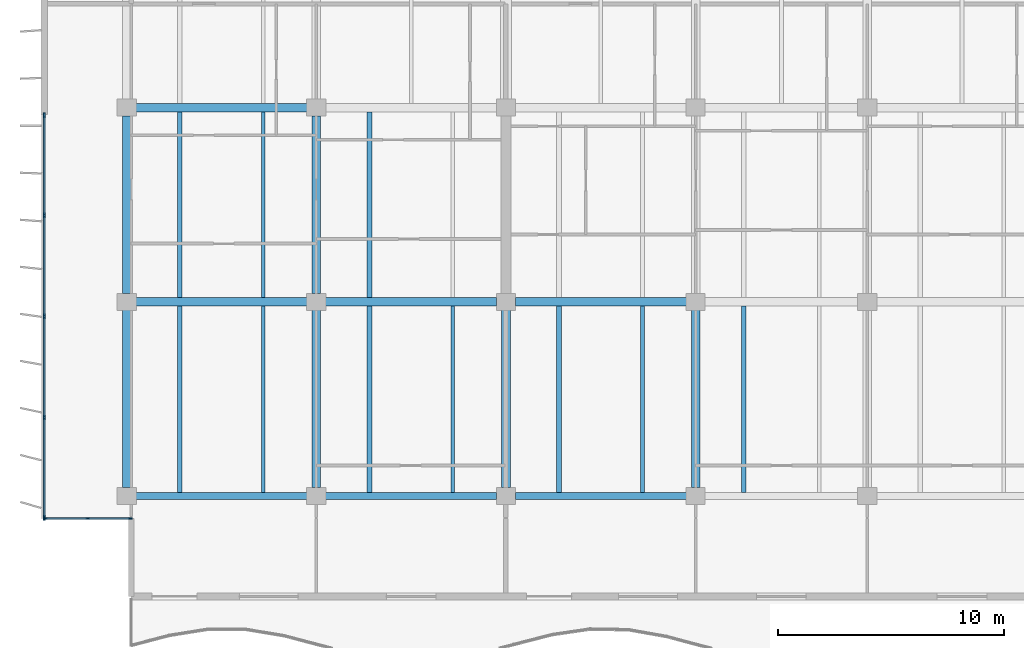
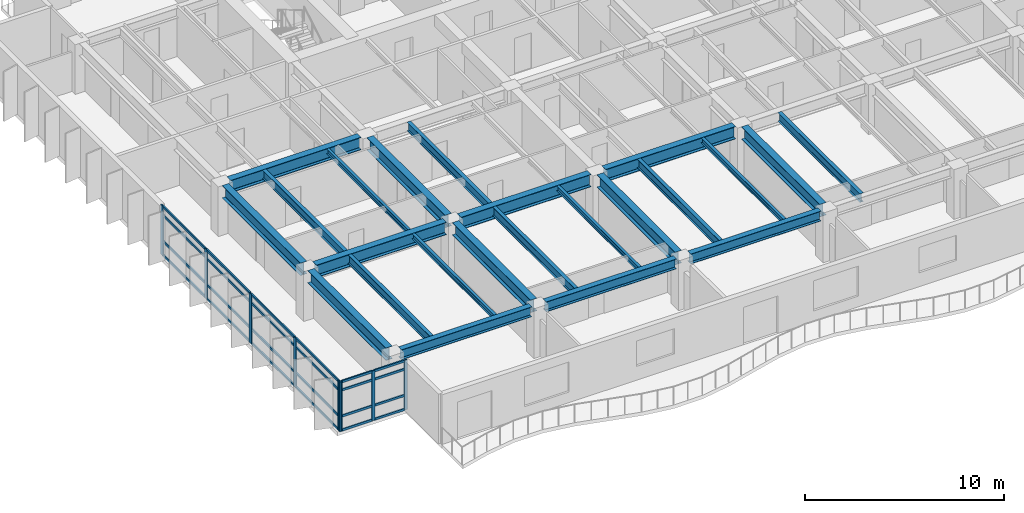
# One storey, part 2 of 17: 32 members, 23 beams, 2 elements without a shape of their own.
"""IFC4 building model written with IfcOpenShell, lengths in metres."""

from ifc_helpers import new_model, si_unit, direction, frame, origin, origin_2d, place, context, subcontext, project, spatial, rectangle, i_section, extrude, material, layer, layer_set, material_profile, profile_set, type_object, element, aggregate, save


model = new_model("IFC4")

# Units and contexts
model_context = context("Model", 3, precision=1e-05, world=origin(), true_north=direction((0.0, 1.0)))
body_context = subcontext(model_context, "Body", "Model", "MODEL_VIEW")
ifc_project = project(units=[si_unit("LENGTHUNIT", "METRE"), si_unit("AREAUNIT", "SQUARE_METRE"), si_unit("VOLUMEUNIT", "CUBIC_METRE"), si_unit("PLANEANGLEUNIT", "RADIAN"), si_unit("MASSUNIT", "GRAM", prefix="KILO")], contexts=[model_context])

# Site, building, storey
site_placement = place(None, origin())
site = spatial("IfcSite", under=ifc_project, at=site_placement, CompositionType="ELEMENT")
building_placement = place(site_placement, origin())
building = spatial("IfcBuilding", under=site, at=building_placement, Name="Caelmar Bay Residences", CompositionType="ELEMENT")
storey_placement = place(building_placement, frame((0.0, 0.0, 208.199951171875)))
storey = spatial("IfcBuildingStorey", under=building, at=storey_placement, Name="L58", CompositionType="ELEMENT", Elevation=208.199951171875)

# Beams
ifc_material_1 = material(Name="Steel ASTM A992 Grade 50", Category="steel")
ifc_material_profile_1 = material_profile(ifc_material_1, i_section(OverallWidth=0.381103515625, OverallDepth=0.77197265625, WebThickness=0.0166015625, FlangeThickness=0.027099609375, FilletRadius=0.0166015625, at=origin_2d()), Name="W30X173")
ifc_profile_set_1 = profile_set([ifc_material_profile_1], Name="Steel ASTM A992 Grade 50")
beam_type_1 = type_object("IfcBeamType", Name="BM-GRD-W30X173", PredefinedType="BEAM", material=ifc_profile_set_1)
beam_1_placement = place(storey_placement, frame((10.31494140625, 20.800048828125, 2.6640625), z_axis=(1.0, 0.0, 0.0), x_axis=(0.0, 1.0, 0.0)))
element("IfcBeam", 1, at=beam_1_placement, inside=storey, type_object=beam_type_1, Name="L58 East-West Girder Y=20.80 (9.9-18.3)", PredefinedType="BEAM", context=body_context, shape_type="SweptSolid", body=[
    extrude(i_section(OverallWidth=0.381103515625, OverallDepth=0.77197265625, WebThickness=0.0166015625, FlangeThickness=0.027099609375, FilletRadius=0.0166015625, at=origin_2d()), origin(), (0.0, 0.0, 1.0), 7.570068359375),
])
beam_2_placement = place(storey_placement, frame((18.715087890625, 20.800048828125, 2.6640625), z_axis=(1.0, 0.0, 0.0), x_axis=(0.0, 1.0, 0.0)))
element("IfcBeam", 2, at=beam_2_placement, inside=storey, type_object=beam_type_1, Name="L58 East-West Girder Y=20.80 (18.3-26.7)", PredefinedType="BEAM", context=body_context, shape_type="SweptSolid", body=[
    extrude(i_section(OverallWidth=0.381103515625, OverallDepth=0.77197265625, WebThickness=0.0166015625, FlangeThickness=0.027099609375, FilletRadius=0.0166015625, at=origin_2d()), origin(), (0.0, 0.0, 1.0), 7.56982421875),
])
for number, where, z_axis, x_axis, name in (
    (3, (27.114990234375, 20.800048828125, 2.6640625), (1.0, 0.0, 0.0), (0.0, 1.0, 0.0), "L58 East-West Girder Y=20.80 (26.7-35.1)"),
    (4, (10.31494140625, 29.39990234375, 2.6640625), (1.0, 0.0, 0.0), (0.0, 1.0, 0.0), "L58 East-West Girder Y=29.40 (9.9-18.3)"),
):
    element("IfcBeam", number, at=place(storey_placement, frame(where, z_axis=z_axis, x_axis=x_axis)), inside=storey, type_object=beam_type_1, Name=name, PredefinedType="BEAM", context=body_context, shape_type="SweptSolid", body=[
        extrude(i_section(OverallWidth=0.381103515625, OverallDepth=0.77197265625, WebThickness=0.0166015625, FlangeThickness=0.027099609375, FilletRadius=0.0166015625, at=origin_2d()), origin(), (0.0, 0.0, 1.0), 7.570068359375),
    ])
beam_3_placement = place(storey_placement, frame((9.89990234375, 12.56494140625, 2.6640625), z_axis=(0.0, 1.0, 0.0), x_axis=(-1.0, 0.0, 0.0)))
element("IfcBeam", 5, at=beam_3_placement, inside=storey, type_object=beam_type_1, Name="L58 North-South Girder X=9.90 (12.2-20.8)", PredefinedType="BEAM", context=body_context, shape_type="SweptSolid", body=[
    extrude(i_section(OverallWidth=0.381103515625, OverallDepth=0.77197265625, WebThickness=0.0166015625, FlangeThickness=0.027099609375, FilletRadius=0.0166015625, at=origin_2d()), origin(), (0.0, 0.0, 1.0), 7.8701171875),
])
beam_4_placement = place(storey_placement, frame((9.89990234375, 21.1650390625, 2.6640625), z_axis=(0.0, 1.0, 0.0), x_axis=(-1.0, 0.0, 0.0)))
element("IfcBeam", 6, at=beam_4_placement, inside=storey, type_object=beam_type_1, Name="L58 North-South Girder X=9.90 (20.8-29.4)", PredefinedType="BEAM", context=body_context, shape_type="SweptSolid", body=[
    extrude(i_section(OverallWidth=0.381103515625, OverallDepth=0.77197265625, WebThickness=0.0166015625, FlangeThickness=0.027099609375, FilletRadius=0.0166015625, at=origin_2d()), origin(), (0.0, 0.0, 1.0), 7.869873046875),
])
beam_5_placement = place(storey_placement, frame((18.300048828125, 12.56494140625, 2.6640625), z_axis=(0.0, 1.0, 0.0), x_axis=(-1.0, 0.0, 0.0)))
element("IfcBeam", 7, at=beam_5_placement, inside=storey, type_object=beam_type_1, Name="L58 North-South Girder X=18.30 (12.2-20.8)", PredefinedType="BEAM", context=body_context, shape_type="SweptSolid", body=[
    extrude(i_section(OverallWidth=0.381103515625, OverallDepth=0.77197265625, WebThickness=0.0166015625, FlangeThickness=0.027099609375, FilletRadius=0.0166015625, at=origin_2d()), origin(), (0.0, 0.0, 1.0), 7.8701171875),
])
beam_6_placement = place(storey_placement, frame((18.300048828125, 21.1650390625, 2.6640625), z_axis=(0.0, 1.0, 0.0), x_axis=(-1.0, 0.0, 0.0)))
element("IfcBeam", 8, at=beam_6_placement, inside=storey, type_object=beam_type_1, Name="L58 North-South Girder X=18.30 (20.8-29.4)", PredefinedType="BEAM", context=body_context, shape_type="SweptSolid", body=[
    extrude(i_section(OverallWidth=0.381103515625, OverallDepth=0.77197265625, WebThickness=0.0166015625, FlangeThickness=0.027099609375, FilletRadius=0.0166015625, at=origin_2d()), origin(), (0.0, 0.0, 1.0), 7.869873046875),
])
for number, where, z_axis, x_axis, name in (
    (9, (26.699951171875, 12.56494140625, 2.6640625), (0.0, 1.0, 0.0), (-1.0, 0.0, 0.0), "L58 North-South Girder X=26.70 (12.2-20.8)"),
    (10, (35.10009765625, 12.56494140625, 2.6640625), (0.0, 1.0, 0.0), (-1.0, 0.0, 0.0), "L58 North-South Girder X=35.10 (12.2-20.8)"),
):
    element("IfcBeam", number, at=place(storey_placement, frame(where, z_axis=z_axis, x_axis=x_axis)), inside=storey, type_object=beam_type_1, Name=name, PredefinedType="BEAM", context=body_context, shape_type="SweptSolid", body=[
        extrude(i_section(OverallWidth=0.381103515625, OverallDepth=0.77197265625, WebThickness=0.0166015625, FlangeThickness=0.027099609375, FilletRadius=0.0166015625, at=origin_2d()), origin(), (0.0, 0.0, 1.0), 7.8701171875),
    ])
ifc_material_profile_2 = material_profile(ifc_material_1, i_section(OverallWidth=0.1650390625, OverallDepth=0.31005859375, WebThickness=0.005859375, FlangeThickness=0.009765625, FilletRadius=0.007568359375, at=origin_2d()), Name="W12X26")
ifc_profile_set_2 = profile_set([ifc_material_profile_2], Name="Steel ASTM A992 Grade 50")
beam_type_2 = type_object("IfcBeamType", Name="BM-JST-W12X26", PredefinedType="JOIST", material=ifc_profile_set_2)
for number, where, z_axis, x_axis, name in (
    (11, (15.947998046875, 12.362548828125, 2.89501953125), (0.0, 1.0, 0.0), (-1.0, 0.0, 0.0), "L58 Composite Floor Joist 2"),
    (12, (24.347900390625, 12.362548828125, 2.89501953125), (0.0, 1.0, 0.0), (-1.0, 0.0, 0.0), "L58 Composite Floor Joist 4"),
    (13, (32.748046875, 12.362548828125, 2.89501953125), (0.0, 1.0, 0.0), (-1.0, 0.0, 0.0), "L58 Composite Floor Joist 6"),
):
    element("IfcBeam", number, at=place(storey_placement, frame(where, z_axis=z_axis, x_axis=x_axis)), inside=storey, type_object=beam_type_2, Name=name, PredefinedType="JOIST", context=body_context, shape_type="SweptSolid", body=[
        extrude(i_section(OverallWidth=0.1650390625, OverallDepth=0.31005859375, WebThickness=0.005859375, FlangeThickness=0.009765625, FilletRadius=0.007568359375, at=origin_2d()), origin(), (0.0, 0.0, 1.0), 8.2470703125),
    ])
beam_7_placement = place(storey_placement, frame((15.947998046875, 20.990478515625, 2.89501953125), z_axis=(0.0, 1.0, 0.0), x_axis=(-1.0, 0.0, 0.0)))
element("IfcBeam", 14, at=beam_7_placement, inside=storey, type_object=beam_type_2, Name="L58 Composite Floor Joist 16", PredefinedType="JOIST", context=body_context, shape_type="SweptSolid", body=[
    extrude(i_section(OverallWidth=0.1650390625, OverallDepth=0.31005859375, WebThickness=0.005859375, FlangeThickness=0.009765625, FilletRadius=0.007568359375, at=origin_2d()), origin(), (0.0, 0.0, 1.0), 8.218994140625),
])
ifc_material_profile_3 = material_profile(ifc_material_1, i_section(OverallWidth=0.2099609375, OverallDepth=0.535888671875, WebThickness=0.010986328125, FlangeThickness=0.017333984375, FilletRadius=0.0126953125, at=origin_2d()), Name="W21X68")
ifc_profile_set_3 = profile_set([ifc_material_profile_3], Name="Steel ASTM A992 Grade 50")
beam_type_3 = type_object("IfcBeamType", Name="BM-JST-W21X68", PredefinedType="JOIST", material=ifc_profile_set_3)
for number, where, z_axis, x_axis, name in (
    (15, (12.251953125, 12.362548828125, 2.781982421875), (0.0, 1.0, 0.0), (-1.0, 0.0, 0.0), "L58 Composite Floor Joist 1"),
    (16, (20.652099609375, 12.362548828125, 2.781982421875), (0.0, 1.0, 0.0), (-1.0, 0.0, 0.0), "L58 Composite Floor Joist 3"),
    (17, (29.052001953125, 12.362548828125, 2.781982421875), (0.0, 1.0, 0.0), (-1.0, 0.0, 0.0), "L58 Composite Floor Joist 5"),
    (18, (37.22802734375, 12.362548828125, 2.781982421875), (0.0, 1.0, 0.0), (-1.0, 0.0, 0.0), "L58 Composite Floor Joist 7"),
):
    element("IfcBeam", number, at=place(storey_placement, frame(where, z_axis=z_axis, x_axis=x_axis)), inside=storey, type_object=beam_type_3, Name=name, PredefinedType="JOIST", context=body_context, shape_type="SweptSolid", body=[
        extrude(i_section(OverallWidth=0.2099609375, OverallDepth=0.535888671875, WebThickness=0.010986328125, FlangeThickness=0.017333984375, FilletRadius=0.0126953125, at=origin_2d()), origin(), (0.0, 0.0, 1.0), 8.2470703125),
    ])
for number, where, z_axis, x_axis, name in (
    (19, (12.251953125, 20.990478515625, 2.781982421875), (0.0, 1.0, 0.0), (-1.0, 0.0, 0.0), "L58 Composite Floor Joist 15"),
    (20, (20.652099609375, 20.990478515625, 2.781982421875), (0.0, 1.0, 0.0), (-1.0, 0.0, 0.0), "L58 Composite Floor Joist 17"),
):
    element("IfcBeam", number, at=place(storey_placement, frame(where, z_axis=z_axis, x_axis=x_axis)), inside=storey, type_object=beam_type_3, Name=name, PredefinedType="JOIST", context=body_context, shape_type="SweptSolid", body=[
        extrude(i_section(OverallWidth=0.2099609375, OverallDepth=0.535888671875, WebThickness=0.010986328125, FlangeThickness=0.017333984375, FilletRadius=0.0126953125, at=origin_2d()), origin(), (0.0, 0.0, 1.0), 8.218994140625),
    ])
ifc_material_profile_4 = material_profile(ifc_material_1, i_section(OverallWidth=0.324951171875, OverallDepth=0.616943359375, WebThickness=0.013916015625, FlangeThickness=0.021484375, FilletRadius=0.0126953125, at=origin_2d()), Name="W24X117")
ifc_profile_set_4 = profile_set([ifc_material_profile_4], Name="Steel ASTM A992 Grade 50")
beam_type_4 = type_object("IfcBeamType", Name="BM-SPN-W24X117", PredefinedType="SPANDREL", material=ifc_profile_set_4)
beam_8_placement = place(storey_placement, frame((10.31494140625, 12.199951171875, 2.741455078125), z_axis=(1.0, 0.0, 0.0), x_axis=(0.0, 1.0, 0.0)))
element("IfcBeam", 21, at=beam_8_placement, inside=storey, type_object=beam_type_4, Name="L58 East-West Girder Y=12.20 (9.9-18.3)", PredefinedType="SPANDREL", context=body_context, shape_type="SweptSolid", body=[
    extrude(i_section(OverallWidth=0.324951171875, OverallDepth=0.616943359375, WebThickness=0.013916015625, FlangeThickness=0.021484375, FilletRadius=0.0126953125, at=origin_2d()), origin(), (0.0, 0.0, 1.0), 7.570068359375),
])
beam_9_placement = place(storey_placement, frame((18.715087890625, 12.199951171875, 2.741455078125), z_axis=(1.0, 0.0, 0.0), x_axis=(0.0, 1.0, 0.0)))
element("IfcBeam", 22, at=beam_9_placement, inside=storey, type_object=beam_type_4, Name="L58 East-West Girder Y=12.20 (18.3-26.7)", PredefinedType="SPANDREL", context=body_context, shape_type="SweptSolid", body=[
    extrude(i_section(OverallWidth=0.324951171875, OverallDepth=0.616943359375, WebThickness=0.013916015625, FlangeThickness=0.021484375, FilletRadius=0.0126953125, at=origin_2d()), origin(), (0.0, 0.0, 1.0), 7.56982421875),
])
beam_10_placement = place(storey_placement, frame((27.114990234375, 12.199951171875, 2.741455078125), z_axis=(1.0, 0.0, 0.0), x_axis=(0.0, 1.0, 0.0)))
element("IfcBeam", 23, at=beam_10_placement, inside=storey, type_object=beam_type_4, Name="L58 East-West Girder Y=12.20 (26.7-35.1)", PredefinedType="SPANDREL", context=body_context, shape_type="SweptSolid", body=[
    extrude(i_section(OverallWidth=0.324951171875, OverallDepth=0.616943359375, WebThickness=0.013916015625, FlangeThickness=0.021484375, FilletRadius=0.0126953125, at=origin_2d()), origin(), (0.0, 0.0, 1.0), 7.570068359375),
])

# Curtain wall, members
ifc_material_2 = material(Name="Anodised bronze aluminium 6063-T6 and laminated glass", Category="aluminium")
ifc_layer_1 = layer(ifc_material_2, 0.179931640625)
ifc_layer_set_1 = layer_set([ifc_layer_1], Name="Anodised bronze aluminium 6063-T6 and laminated glass")
curtain_wall_type_1 = type_object("IfcCurtainWallType", Name="CW6-NTC", PredefinedType="NOTDEFINED", material=ifc_layer_set_1)
curtain_wall_1_placement = place(storey_placement, origin())
curtain_wall_1 = element("IfcCurtainWall", 24, at=curtain_wall_1_placement, inside=storey, type_object=curtain_wall_type_1, Name="CW6 curtain wall L58", PredefinedType="NOTDEFINED")
ifc_material_3 = material(Name="Anodised bronze aluminium 6063-T6", Category="aluminium")
ifc_material_profile_5 = material_profile(ifc_material_3, rectangle(XDim=0.080078125, YDim=0.179931640625, at=origin_2d()), Name="CWM-80X180")
ifc_profile_set_5 = profile_set([ifc_material_profile_5], Name="Anodised bronze aluminium 6063-T6")
member_type_1 = type_object("IfcMemberType", Name="CWM-180", PredefinedType="MULLION", material=ifc_profile_set_5)
member_1_placement = place(storey_placement, frame((6.2900390625, 11.199951171875, 0.0), z_axis=(0.0, 0.0, 1.0), x_axis=(0.0, 1.0, 0.0)))
member_1 = element("IfcMember", 25, at=member_1_placement, type_object=member_type_1, Name="CW6 mullion 1", PredefinedType="MULLION", context=body_context, shape_type="SweptSolid", body=[
    extrude(rectangle(XDim=0.080078125, YDim=0.179931640625, at=origin_2d()), origin(), (0.0, 0.0, 1.0), 3.050048828125),
])
member_2_placement = place(storey_placement, frame((8.175048828125, 11.199951171875, 0.0), z_axis=(0.0, 0.0, 1.0), x_axis=(0.0, 1.0, 0.0)))
member_2 = element("IfcMember", 26, at=member_2_placement, type_object=member_type_1, Name="CW6 mullion 2", PredefinedType="MULLION", context=body_context, shape_type="SweptSolid", body=[
    extrude(rectangle(XDim=0.080078125, YDim=0.179931640625, at=origin_2d()), origin(), (0.0, 0.0, 1.0), 3.050048828125),
])
member_3_placement = place(storey_placement, frame((10.06005859375, 11.199951171875, 0.0), z_axis=(0.0, 0.0, 1.0), x_axis=(0.0, 1.0, 0.0)))
member_3 = element("IfcMember", 27, at=member_3_placement, type_object=member_type_1, Name="CW6 mullion 3", PredefinedType="MULLION", context=body_context, shape_type="SweptSolid", body=[
    extrude(rectangle(XDim=0.080078125, YDim=0.179931640625, at=origin_2d()), origin(), (0.0, 0.0, 1.0), 3.050048828125),
])

ifc_layer_2 = layer(ifc_material_2, 0.179931640625)
ifc_layer_set_2 = layer_set([ifc_layer_2], Name="Anodised bronze aluminium 6063-T6 and laminated glass")
curtain_wall_type_2 = type_object("IfcCurtainWallType", Name="CW4-Z3", PredefinedType="NOTDEFINED", material=ifc_layer_set_2)
curtain_wall_2_placement = place(storey_placement, origin())
curtain_wall_2 = element("IfcCurtainWall", 28, at=curtain_wall_2_placement, inside=storey, type_object=curtain_wall_type_2, Name="CW4 curtain wall L58", PredefinedType="NOTDEFINED")
ifc_material_profile_6 = material_profile(ifc_material_3, rectangle(XDim=0.080078125, YDim=0.219970703125, at=origin_2d()), Name="CWM-80X220")
ifc_profile_set_6 = profile_set([ifc_material_profile_6], Name="Anodised bronze aluminium 6063-T6")
member_type_2 = type_object("IfcMemberType", Name="CWM-220", PredefinedType="MULLION", material=ifc_profile_set_6)
member_4_placement = place(storey_placement, frame((6.25, 11.239990234375, 0.0), z_axis=(0.0, 0.0, 1.0), x_axis=(-1.0, 0.0, 0.0)))
member_4 = element("IfcMember", 29, at=member_4_placement, type_object=member_type_2, Name="CW4 mullion 1", PredefinedType="MULLION", context=body_context, shape_type="SweptSolid", body=[
    extrude(rectangle(XDim=0.080078125, YDim=0.219970703125, at=origin_2d()), origin(), (0.0, 0.0, 1.0), 3.050048828125),
])
member_5_placement = place(storey_placement, frame((6.25, 15.675048828125, 0.0), z_axis=(0.0, 0.0, 1.0), x_axis=(-1.0, 0.0, 0.0)))
member_5 = element("IfcMember", 30, at=member_5_placement, type_object=member_type_2, Name="CW4 mullion 2", PredefinedType="MULLION", context=body_context, shape_type="SweptSolid", body=[
    extrude(rectangle(XDim=0.080078125, YDim=0.219970703125, at=origin_2d()), origin(), (0.0, 0.0, 1.0), 3.050048828125),
])
member_6_placement = place(storey_placement, frame((6.25, 20.14990234375, 0.0), z_axis=(0.0, 0.0, 1.0), x_axis=(-1.0, 0.0, 0.0)))
member_6 = element("IfcMember", 31, at=member_6_placement, type_object=member_type_2, Name="CW4 mullion 3", PredefinedType="MULLION", context=body_context, shape_type="SweptSolid", body=[
    extrude(rectangle(XDim=0.080078125, YDim=0.219970703125, at=origin_2d()), origin(), (0.0, 0.0, 1.0), 3.050048828125),
])
member_7_placement = place(storey_placement, frame((6.25, 24.625, 0.0), z_axis=(0.0, 0.0, 1.0), x_axis=(-1.0, 0.0, 0.0)))
member_7 = element("IfcMember", 32, at=member_7_placement, type_object=member_type_2, Name="CW4 mullion 4", PredefinedType="MULLION", context=body_context, shape_type="SweptSolid", body=[
    extrude(rectangle(XDim=0.080078125, YDim=0.219970703125, at=origin_2d()), origin(), (0.0, 0.0, 1.0), 3.050048828125),
])
member_8_placement = place(storey_placement, frame((6.25, 29.06005859375, 0.0), z_axis=(0.0, 0.0, 1.0), x_axis=(-1.0, 0.0, 0.0)))
member_8 = element("IfcMember", 33, at=member_8_placement, type_object=member_type_2, Name="CW4 mullion 5", PredefinedType="MULLION", context=body_context, shape_type="SweptSolid", body=[
    extrude(rectangle(XDim=0.080078125, YDim=0.219970703125, at=origin_2d()), origin(), (0.0, 0.0, 1.0), 3.050048828125),
])

# Member
ifc_material_profile_7 = material_profile(ifc_material_3, rectangle(XDim=0.080078125, YDim=0.139892578125, at=origin_2d()), Name="CWT-80X140")
ifc_profile_set_7 = profile_set([ifc_material_profile_7], Name="Anodised bronze aluminium 6063-T6")
member_type_3 = type_object("IfcMemberType", Name="CWT-140", PredefinedType="NOTDEFINED", material=ifc_profile_set_7)
member_9_placement = place(storey_placement, frame((6.330078125, 11.199951171875, 0.0400390625), z_axis=(1.0, 0.0, 0.0), x_axis=(0.0, 1.0, 0.0)))
member_9 = element("IfcMember", 34, at=member_9_placement, type_object=member_type_3, Name="CW6 transom 1.1", ObjectType="TRANSOM", PredefinedType="USERDEFINED", context=body_context, shape_type="SweptSolid", body=[
    extrude(rectangle(XDim=0.080078125, YDim=0.139892578125, at=origin_2d()), origin(), (0.0, 0.0, 1.0), 1.804931640625),
])

member_10_placement = place(storey_placement, frame((6.330078125, 11.199951171875, 0.900146484375), z_axis=(1.0, 0.0, 0.0), x_axis=(0.0, 1.0, 0.0)))
member_10 = element("IfcMember", 35, at=member_10_placement, type_object=member_type_3, Name="CW6 transom 1.2", ObjectType="TRANSOM", PredefinedType="USERDEFINED", context=body_context, shape_type="SweptSolid", body=[
    extrude(rectangle(XDim=0.080078125, YDim=0.139892578125, at=origin_2d()), origin(), (0.0, 0.0, 1.0), 1.804931640625),
])

member_11_placement = place(storey_placement, frame((6.330078125, 11.199951171875, 2.5), z_axis=(1.0, 0.0, 0.0), x_axis=(0.0, 1.0, 0.0)))
member_11 = element("IfcMember", 36, at=member_11_placement, type_object=member_type_3, Name="CW6 transom 1.3", ObjectType="TRANSOM", PredefinedType="USERDEFINED", context=body_context, shape_type="SweptSolid", body=[
    extrude(rectangle(XDim=0.080078125, YDim=0.139892578125, at=origin_2d()), origin(), (0.0, 0.0, 1.0), 1.804931640625),
])

member_12_placement = place(storey_placement, frame((6.330078125, 11.199951171875, 3.010009765625), z_axis=(1.0, 0.0, 0.0), x_axis=(0.0, 1.0, 0.0)))
member_12 = element("IfcMember", 37, at=member_12_placement, type_object=member_type_3, Name="CW6 transom 1.4", ObjectType="TRANSOM", PredefinedType="USERDEFINED", context=body_context, shape_type="SweptSolid", body=[
    extrude(rectangle(XDim=0.080078125, YDim=0.139892578125, at=origin_2d()), origin(), (0.0, 0.0, 1.0), 1.804931640625),
])

member_13_placement = place(storey_placement, frame((8.215087890625, 11.199951171875, 0.0400390625), z_axis=(1.0, 0.0, 0.0), x_axis=(0.0, 1.0, 0.0)))
member_13 = element("IfcMember", 38, at=member_13_placement, type_object=member_type_3, Name="CW6 transom 2.1", ObjectType="TRANSOM", PredefinedType="USERDEFINED", context=body_context, shape_type="SweptSolid", body=[
    extrude(rectangle(XDim=0.080078125, YDim=0.139892578125, at=origin_2d()), origin(), (0.0, 0.0, 1.0), 1.804931640625),
])

member_14_placement = place(storey_placement, frame((8.215087890625, 11.199951171875, 0.900146484375), z_axis=(1.0, 0.0, 0.0), x_axis=(0.0, 1.0, 0.0)))
member_14 = element("IfcMember", 39, at=member_14_placement, type_object=member_type_3, Name="CW6 transom 2.2", ObjectType="TRANSOM", PredefinedType="USERDEFINED", context=body_context, shape_type="SweptSolid", body=[
    extrude(rectangle(XDim=0.080078125, YDim=0.139892578125, at=origin_2d()), origin(), (0.0, 0.0, 1.0), 1.804931640625),
])

member_15_placement = place(storey_placement, frame((8.215087890625, 11.199951171875, 2.5), z_axis=(1.0, 0.0, 0.0), x_axis=(0.0, 1.0, 0.0)))
member_15 = element("IfcMember", 40, at=member_15_placement, type_object=member_type_3, Name="CW6 transom 2.3", ObjectType="TRANSOM", PredefinedType="USERDEFINED", context=body_context, shape_type="SweptSolid", body=[
    extrude(rectangle(XDim=0.080078125, YDim=0.139892578125, at=origin_2d()), origin(), (0.0, 0.0, 1.0), 1.804931640625),
])

member_16_placement = place(storey_placement, frame((8.215087890625, 11.199951171875, 3.010009765625), z_axis=(1.0, 0.0, 0.0), x_axis=(0.0, 1.0, 0.0)))
member_16 = element("IfcMember", 41, at=member_16_placement, type_object=member_type_3, Name="CW6 transom 2.4", ObjectType="TRANSOM", PredefinedType="USERDEFINED", context=body_context, shape_type="SweptSolid", body=[
    extrude(rectangle(XDim=0.080078125, YDim=0.139892578125, at=origin_2d()), origin(), (0.0, 0.0, 1.0), 1.804931640625),
])

aggregate(curtain_wall_1, [member_1, member_2, member_3, member_9, member_10, member_11, member_12, member_13, member_14, member_15, member_16])

member_17_placement = place(storey_placement, frame((6.25, 11.280029296875, 0.0400390625), z_axis=(0.0, 1.0, 0.0), x_axis=(-1.0, 0.0, 0.0)))
member_17 = element("IfcMember", 42, at=member_17_placement, type_object=member_type_3, Name="CW4 transom 1.1", ObjectType="TRANSOM", PredefinedType="USERDEFINED", context=body_context, shape_type="SweptSolid", body=[
    extrude(rectangle(XDim=0.080078125, YDim=0.139892578125, at=origin_2d()), origin(), (0.0, 0.0, 1.0), 4.35498046875),
])

member_18_placement = place(storey_placement, frame((6.25, 11.280029296875, 0.900146484375), z_axis=(0.0, 1.0, 0.0), x_axis=(-1.0, 0.0, 0.0)))
member_18 = element("IfcMember", 43, at=member_18_placement, type_object=member_type_3, Name="CW4 transom 1.2", ObjectType="TRANSOM", PredefinedType="USERDEFINED", context=body_context, shape_type="SweptSolid", body=[
    extrude(rectangle(XDim=0.080078125, YDim=0.139892578125, at=origin_2d()), origin(), (0.0, 0.0, 1.0), 4.35498046875),
])

member_19_placement = place(storey_placement, frame((6.25, 11.280029296875, 2.5), z_axis=(0.0, 1.0, 0.0), x_axis=(-1.0, 0.0, 0.0)))
member_19 = element("IfcMember", 44, at=member_19_placement, type_object=member_type_3, Name="CW4 transom 1.3", ObjectType="TRANSOM", PredefinedType="USERDEFINED", context=body_context, shape_type="SweptSolid", body=[
    extrude(rectangle(XDim=0.080078125, YDim=0.139892578125, at=origin_2d()), origin(), (0.0, 0.0, 1.0), 4.35498046875),
])

member_20_placement = place(storey_placement, frame((6.25, 11.280029296875, 3.010009765625), z_axis=(0.0, 1.0, 0.0), x_axis=(-1.0, 0.0, 0.0)))
member_20 = element("IfcMember", 45, at=member_20_placement, type_object=member_type_3, Name="CW4 transom 1.4", ObjectType="TRANSOM", PredefinedType="USERDEFINED", context=body_context, shape_type="SweptSolid", body=[
    extrude(rectangle(XDim=0.080078125, YDim=0.139892578125, at=origin_2d()), origin(), (0.0, 0.0, 1.0), 4.35498046875),
])

member_21_placement = place(storey_placement, frame((6.25, 15.715087890625, 0.0400390625), z_axis=(0.0, 1.0, 0.0), x_axis=(-1.0, 0.0, 0.0)))
member_21 = element("IfcMember", 46, at=member_21_placement, type_object=member_type_3, Name="CW4 transom 2.1", ObjectType="TRANSOM", PredefinedType="USERDEFINED", context=body_context, shape_type="SweptSolid", body=[
    extrude(rectangle(XDim=0.080078125, YDim=0.139892578125, at=origin_2d()), origin(), (0.0, 0.0, 1.0), 4.39501953125),
])

member_22_placement = place(storey_placement, frame((6.25, 15.715087890625, 0.900146484375), z_axis=(0.0, 1.0, 0.0), x_axis=(-1.0, 0.0, 0.0)))
member_22 = element("IfcMember", 47, at=member_22_placement, type_object=member_type_3, Name="CW4 transom 2.2", ObjectType="TRANSOM", PredefinedType="USERDEFINED", context=body_context, shape_type="SweptSolid", body=[
    extrude(rectangle(XDim=0.080078125, YDim=0.139892578125, at=origin_2d()), origin(), (0.0, 0.0, 1.0), 4.39501953125),
])

member_23_placement = place(storey_placement, frame((6.25, 15.715087890625, 2.5), z_axis=(0.0, 1.0, 0.0), x_axis=(-1.0, 0.0, 0.0)))
member_23 = element("IfcMember", 48, at=member_23_placement, type_object=member_type_3, Name="CW4 transom 2.3", ObjectType="TRANSOM", PredefinedType="USERDEFINED", context=body_context, shape_type="SweptSolid", body=[
    extrude(rectangle(XDim=0.080078125, YDim=0.139892578125, at=origin_2d()), origin(), (0.0, 0.0, 1.0), 4.39501953125),
])

member_24_placement = place(storey_placement, frame((6.25, 15.715087890625, 3.010009765625), z_axis=(0.0, 1.0, 0.0), x_axis=(-1.0, 0.0, 0.0)))
member_24 = element("IfcMember", 49, at=member_24_placement, type_object=member_type_3, Name="CW4 transom 2.4", ObjectType="TRANSOM", PredefinedType="USERDEFINED", context=body_context, shape_type="SweptSolid", body=[
    extrude(rectangle(XDim=0.080078125, YDim=0.139892578125, at=origin_2d()), origin(), (0.0, 0.0, 1.0), 4.39501953125),
])

member_25_placement = place(storey_placement, frame((6.25, 20.18994140625, 0.0400390625), z_axis=(0.0, 1.0, 0.0), x_axis=(-1.0, 0.0, 0.0)))
member_25 = element("IfcMember", 50, at=member_25_placement, type_object=member_type_3, Name="CW4 transom 3.1", ObjectType="TRANSOM", PredefinedType="USERDEFINED", context=body_context, shape_type="SweptSolid", body=[
    extrude(rectangle(XDim=0.080078125, YDim=0.139892578125, at=origin_2d()), origin(), (0.0, 0.0, 1.0), 4.39501953125),
])

member_26_placement = place(storey_placement, frame((6.25, 20.18994140625, 0.900146484375), z_axis=(0.0, 1.0, 0.0), x_axis=(-1.0, 0.0, 0.0)))
member_26 = element("IfcMember", 51, at=member_26_placement, type_object=member_type_3, Name="CW4 transom 3.2", ObjectType="TRANSOM", PredefinedType="USERDEFINED", context=body_context, shape_type="SweptSolid", body=[
    extrude(rectangle(XDim=0.080078125, YDim=0.139892578125, at=origin_2d()), origin(), (0.0, 0.0, 1.0), 4.39501953125),
])

member_27_placement = place(storey_placement, frame((6.25, 20.18994140625, 2.5), z_axis=(0.0, 1.0, 0.0), x_axis=(-1.0, 0.0, 0.0)))
member_27 = element("IfcMember", 52, at=member_27_placement, type_object=member_type_3, Name="CW4 transom 3.3", ObjectType="TRANSOM", PredefinedType="USERDEFINED", context=body_context, shape_type="SweptSolid", body=[
    extrude(rectangle(XDim=0.080078125, YDim=0.139892578125, at=origin_2d()), origin(), (0.0, 0.0, 1.0), 4.39501953125),
])

member_28_placement = place(storey_placement, frame((6.25, 20.18994140625, 3.010009765625), z_axis=(0.0, 1.0, 0.0), x_axis=(-1.0, 0.0, 0.0)))
member_28 = element("IfcMember", 53, at=member_28_placement, type_object=member_type_3, Name="CW4 transom 3.4", ObjectType="TRANSOM", PredefinedType="USERDEFINED", context=body_context, shape_type="SweptSolid", body=[
    extrude(rectangle(XDim=0.080078125, YDim=0.139892578125, at=origin_2d()), origin(), (0.0, 0.0, 1.0), 4.39501953125),
])

member_29_placement = place(storey_placement, frame((6.25, 24.6650390625, 0.0400390625), z_axis=(0.0, 1.0, 0.0), x_axis=(-1.0, 0.0, 0.0)))
member_29 = element("IfcMember", 54, at=member_29_placement, type_object=member_type_3, Name="CW4 transom 4.1", ObjectType="TRANSOM", PredefinedType="USERDEFINED", context=body_context, shape_type="SweptSolid", body=[
    extrude(rectangle(XDim=0.080078125, YDim=0.139892578125, at=origin_2d()), origin(), (0.0, 0.0, 1.0), 4.35498046875),
])

member_30_placement = place(storey_placement, frame((6.25, 24.6650390625, 0.900146484375), z_axis=(0.0, 1.0, 0.0), x_axis=(-1.0, 0.0, 0.0)))
member_30 = element("IfcMember", 55, at=member_30_placement, type_object=member_type_3, Name="CW4 transom 4.2", ObjectType="TRANSOM", PredefinedType="USERDEFINED", context=body_context, shape_type="SweptSolid", body=[
    extrude(rectangle(XDim=0.080078125, YDim=0.139892578125, at=origin_2d()), origin(), (0.0, 0.0, 1.0), 4.35498046875),
])

member_31_placement = place(storey_placement, frame((6.25, 24.6650390625, 2.5), z_axis=(0.0, 1.0, 0.0), x_axis=(-1.0, 0.0, 0.0)))
member_31 = element("IfcMember", 56, at=member_31_placement, type_object=member_type_3, Name="CW4 transom 4.3", ObjectType="TRANSOM", PredefinedType="USERDEFINED", context=body_context, shape_type="SweptSolid", body=[
    extrude(rectangle(XDim=0.080078125, YDim=0.139892578125, at=origin_2d()), origin(), (0.0, 0.0, 1.0), 4.35498046875),
])

member_32_placement = place(storey_placement, frame((6.25, 24.6650390625, 3.010009765625), z_axis=(0.0, 1.0, 0.0), x_axis=(-1.0, 0.0, 0.0)))
member_32 = element("IfcMember", 57, at=member_32_placement, type_object=member_type_3, Name="CW4 transom 4.4", ObjectType="TRANSOM", PredefinedType="USERDEFINED", context=body_context, shape_type="SweptSolid", body=[
    extrude(rectangle(XDim=0.080078125, YDim=0.139892578125, at=origin_2d()), origin(), (0.0, 0.0, 1.0), 4.35498046875),
])

aggregate(curtain_wall_2, [member_4, member_5, member_6, member_7, member_8, member_17, member_18, member_19, member_20, member_21, member_22, member_23, member_24, member_25, member_26, member_27, member_28, member_29, member_30, member_31, member_32])

save(model, "model.ifc")
